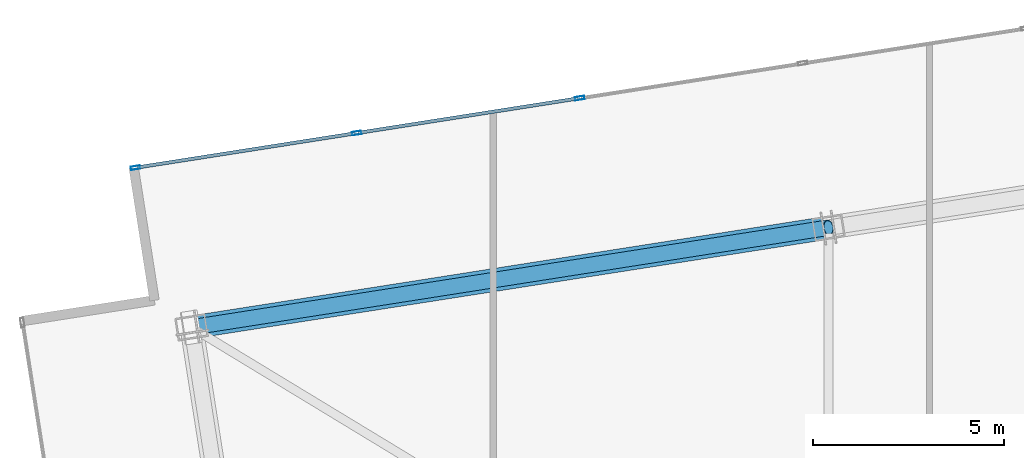
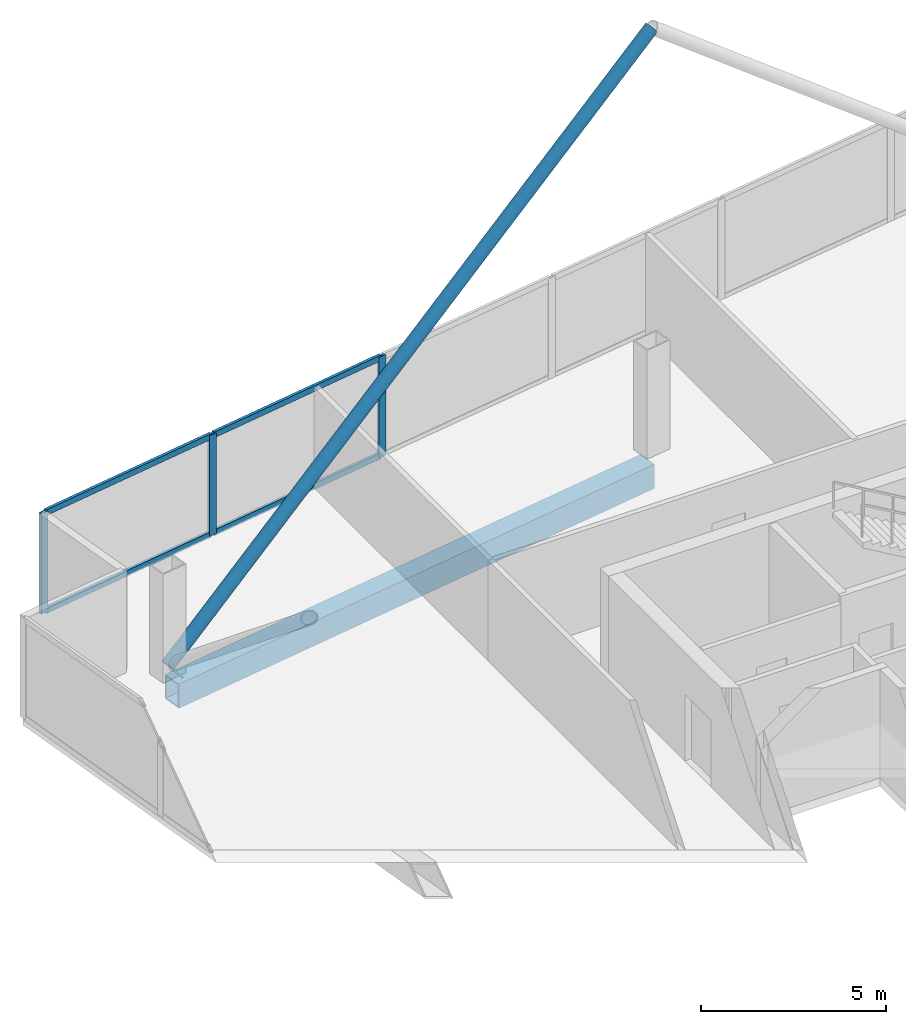
# One storey, part 13 of 21: 8 members, 1 beam, 1 element without a shape of its own.
"""IFC4 building model written with IfcOpenShell, lengths in metres."""

from ifc_helpers import new_model, si_unit, direction, frame, origin, origin_2d, place, context, subcontext, project, spatial, hollow_rectangle, hollow_circle, extrude, material, material_profile, profile_set, type_object, element, aggregate, save


model = new_model("IFC4")

# Units and contexts
model_context = context("Model", 3, precision=1e-05, world=origin(), true_north=direction((0.0, 1.0)))
body_context = subcontext(model_context, "Body", "Model", "MODEL_VIEW")
ifc_project = project(units=[si_unit("LENGTHUNIT", "METRE"), si_unit("AREAUNIT", "SQUARE_METRE"), si_unit("VOLUMEUNIT", "CUBIC_METRE"), si_unit("PLANEANGLEUNIT", "RADIAN"), si_unit("MASSUNIT", "GRAM", prefix="KILO")], contexts=[model_context])

# Site, building, storey
site_placement = place(None, origin())
site = spatial("IfcSite", under=ifc_project, at=site_placement, CompositionType="ELEMENT")
building_placement = place(site_placement, origin())
building = spatial("IfcBuilding", under=site, at=building_placement, Name="Haldenkirk Collegiate Tower", CompositionType="ELEMENT")
storey_placement = place(building_placement, frame((0.0, 0.0, 360.60009765625)))
storey = spatial("IfcBuildingStorey", under=building, at=storey_placement, Name="L91", CompositionType="ELEMENT", Elevation=360.60009765625)

# Beam
ifc_material_1 = material(Name="Steel ASTM A572 Grade 50", Category="steel")
ifc_material_profile_1 = material_profile(ifc_material_1, hollow_rectangle(XDim=0.60009765625, YDim=0.800048828125, WallThickness=0.0400390625, at=origin_2d()), Name="BOX800X600X40")
ifc_profile_set_1 = profile_set([ifc_material_profile_1], Name="Steel ASTM A572 Grade 50")
beam_type = type_object("IfcBeamType", Name="BM-SPANDREL-BOX800X600X40", PredefinedType="SPANDREL", material=ifc_profile_set_1)
beam_placement = place(storey_placement, frame((33.214111328125, 42.821533203125, -0.670166015625), z_axis=(-0.987959171117, -0.154714822192, 0.0), x_axis=(0.154714822192, -0.987959171117, 0.0)))
element("IfcBeam", 1, at=beam_placement, inside=storey, type_object=beam_type, Name="L91 Crown Ring Frame perimeter girder 4", PredefinedType="SPANDREL", context=body_context, shape_type="SweptSolid", body=[
    extrude(hollow_rectangle(XDim=0.60009765625, YDim=0.800048828125, WallThickness=0.0400390625, at=origin_2d()), origin(), (0.0, 0.0, 1.0), 16.550048828125),
])

# Curtain wall, members
ifc_material_2 = material(Name="Anodised architectural bronze aluminium", Category="aluminium")
curtain_wall_type = type_object("IfcCurtainWallType", Name="CW-SYS6-CROWN", PredefinedType="USERDEFINED", material=ifc_material_2)
curtain_wall_placement = place(storey_placement, origin())
curtain_wall = element("IfcCurtainWall", 2, at=curtain_wall_placement, inside=storey, type_object=curtain_wall_type, Name="L91 Closed crown ring ceramic-fritted bronze screen curtain wall", ObjectType="UNITISED CURTAIN WALL", PredefinedType="USERDEFINED")
ifc_material_profile_2 = material_profile(ifc_material_2, hollow_rectangle(XDim=0.090087890625, YDim=0.239990234375, WallThickness=0.0048828125, at=origin_2d()), Name="CW-MUL-06")
ifc_profile_set_2 = profile_set([ifc_material_profile_2], Name="Anodised architectural bronze aluminium")
member_type_1 = type_object("IfcMemberType", Name="CW-MUL-06", PredefinedType="MULLION", material=ifc_profile_set_2)
member_1_placement = place(storey_placement, frame((15.246826171875, 44.410888671875, 0.0), z_axis=(0.0, 0.0, 1.0), x_axis=(-0.154708982189, 0.987960085646, 0.0)))
member_1 = element("IfcMember", 3, at=member_1_placement, type_object=member_type_1, Name="CW-06 mullion 1", PredefinedType="MULLION", context=body_context, shape_type="SweptSolid", body=[
    extrude(hollow_rectangle(XDim=0.090087890625, YDim=0.239990234375, WallThickness=0.0048828125, at=origin_2d()), origin(), (0.0, 0.0, 1.0), 3.329833984375),
])
member_2_placement = place(storey_placement, frame((21.03125, 45.31689453125, 0.0), z_axis=(0.0, 0.0, 1.0), x_axis=(-0.154708982189, 0.987960085646, 0.0)))
member_2 = element("IfcMember", 4, at=member_2_placement, type_object=member_type_1, Name="CW-06 mullion 2", PredefinedType="MULLION", context=body_context, shape_type="SweptSolid", body=[
    extrude(hollow_rectangle(XDim=0.090087890625, YDim=0.239990234375, WallThickness=0.0048828125, at=origin_2d()), origin(), (0.0, 0.0, 1.0), 3.329833984375),
])
member_3_placement = place(storey_placement, frame((26.8603515625, 46.2294921875, 0.0), z_axis=(0.0, 0.0, 1.0), x_axis=(-0.154708982189, 0.987960085646, 0.0)))
member_3 = element("IfcMember", 5, at=member_3_placement, type_object=member_type_1, Name="CW-06 mullion 3", PredefinedType="MULLION", context=body_context, shape_type="SweptSolid", body=[
    extrude(hollow_rectangle(XDim=0.090087890625, YDim=0.239990234375, WallThickness=0.0048828125, at=origin_2d()), origin(), (0.0, 0.0, 1.0), 3.329833984375),
])
ifc_material_profile_3 = material_profile(ifc_material_2, hollow_rectangle(XDim=0.090087890625, YDim=0.18994140625, WallThickness=0.0048828125, at=origin_2d()), Name="CW-TRN-06")
ifc_profile_set_3 = profile_set([ifc_material_profile_3], Name="Anodised architectural bronze aluminium")
member_type_2 = type_object("IfcMemberType", Name="CW-TRN-06", PredefinedType="USERDEFINED", material=ifc_profile_set_3)
member_4_placement = place(storey_placement, frame((15.291259765625, 44.41796875, 0.044921875), z_axis=(0.987961315074, 0.154701130951, 0.0), x_axis=(-0.154701130951, 0.987961315074, 0.0)))
member_4 = element("IfcMember", 6, at=member_4_placement, type_object=member_type_2, Name="CW-06 transom 1.1", ObjectType="TRANSOM", PredefinedType="USERDEFINED", context=body_context, shape_type="SweptSolid", body=[
    extrude(hollow_rectangle(XDim=0.090087890625, YDim=0.18994140625, WallThickness=0.0048828125, at=origin_2d()), origin(), (0.0, 0.0, 1.0), 5.764892578125),
])
member_5_placement = place(storey_placement, frame((15.291259765625, 44.41796875, 3.284912109375), z_axis=(0.987961315074, 0.154701130951, 0.0), x_axis=(-0.154701130951, 0.987961315074, 0.0)))
member_5 = element("IfcMember", 7, at=member_5_placement, type_object=member_type_2, Name="CW-06 transom 1.2", ObjectType="TRANSOM", PredefinedType="USERDEFINED", context=body_context, shape_type="SweptSolid", body=[
    extrude(hollow_rectangle(XDim=0.090087890625, YDim=0.18994140625, WallThickness=0.0048828125, at=origin_2d()), origin(), (0.0, 0.0, 1.0), 5.764892578125),
])
member_6_placement = place(storey_placement, frame((21.07568359375, 45.32373046875, 0.044921875), z_axis=(0.987958095237, 0.154721692257, 0.0), x_axis=(-0.154721692257, 0.987958095237, 0.0)))
member_6 = element("IfcMember", 8, at=member_6_placement, type_object=member_type_2, Name="CW-06 transom 2.1", ObjectType="TRANSOM", PredefinedType="USERDEFINED", context=body_context, shape_type="SweptSolid", body=[
    extrude(hollow_rectangle(XDim=0.090087890625, YDim=0.18994140625, WallThickness=0.0048828125, at=origin_2d()), origin(), (0.0, 0.0, 1.0), 5.81005859375),
])
member_7_placement = place(storey_placement, frame((21.07568359375, 45.32373046875, 3.284912109375), z_axis=(0.987958095237, 0.154721692257, 0.0), x_axis=(-0.154721692257, 0.987958095237, 0.0)))
member_7 = element("IfcMember", 9, at=member_7_placement, type_object=member_type_2, Name="CW-06 transom 2.2", ObjectType="TRANSOM", PredefinedType="USERDEFINED", context=body_context, shape_type="SweptSolid", body=[
    extrude(hollow_rectangle(XDim=0.090087890625, YDim=0.18994140625, WallThickness=0.0048828125, at=origin_2d()), origin(), (0.0, 0.0, 1.0), 5.81005859375),
])
aggregate(curtain_wall, [member_1, member_2, member_3, member_4, member_5, member_6, member_7])

# Member
ifc_material_profile_4 = material_profile(ifc_material_1, hollow_circle(Radius=0.202880859375, WallThickness=0.02001953125, at=origin_2d()), Name="CHS406X20")
ifc_profile_set_4 = profile_set([ifc_material_profile_4], Name="Steel ASTM A572 Grade 50")
member_type_3 = type_object("IfcMemberType", Name="MBR-CROWNBRACE-CHS406", PredefinedType="BRACE", material=ifc_profile_set_4)
member_8_placement = place(storey_placement, frame((16.715087890625, 40.23779296875, 0.25), z_axis=(0.766563291746, 0.120042864905, 0.630848975851), x_axis=(-0.154713225385, 0.987959421176, 0.0)))
element("IfcMember", 10, at=member_8_placement, inside=storey, type_object=member_type_3, Name="Crown Ring Frame diagonal brace E2", PredefinedType="BRACE", context=body_context, shape_type="SweptSolid", body=[
    extrude(hollow_circle(Radius=0.202880859375, WallThickness=0.02001953125, at=origin_2d()), origin(), (0.0, 0.0, 1.0), 21.716796875),
])

save(model, "model.ifc")
